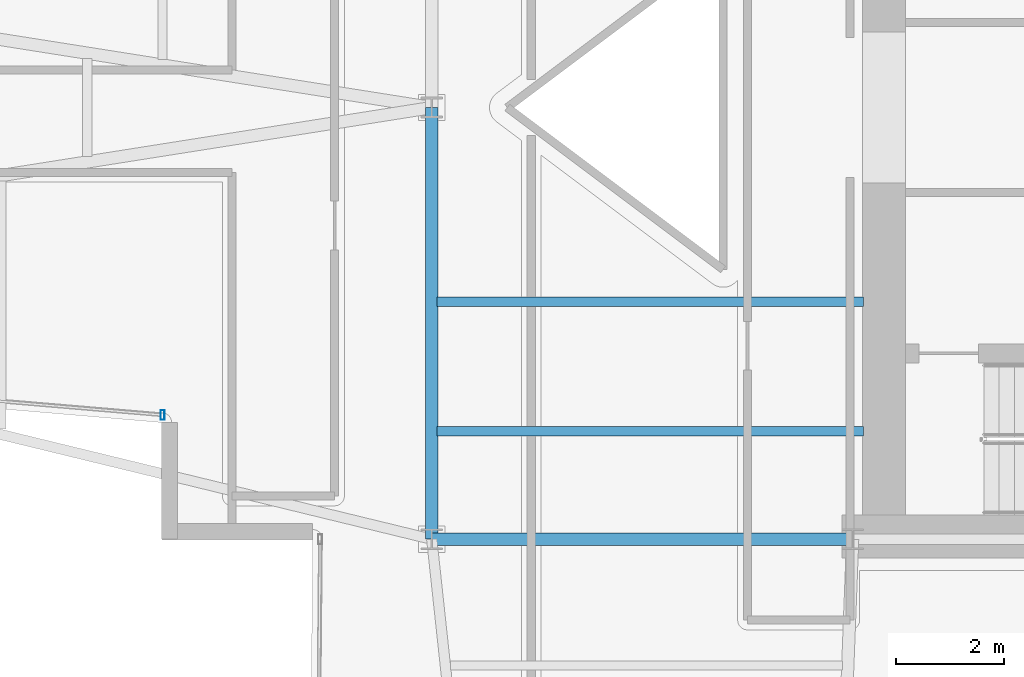
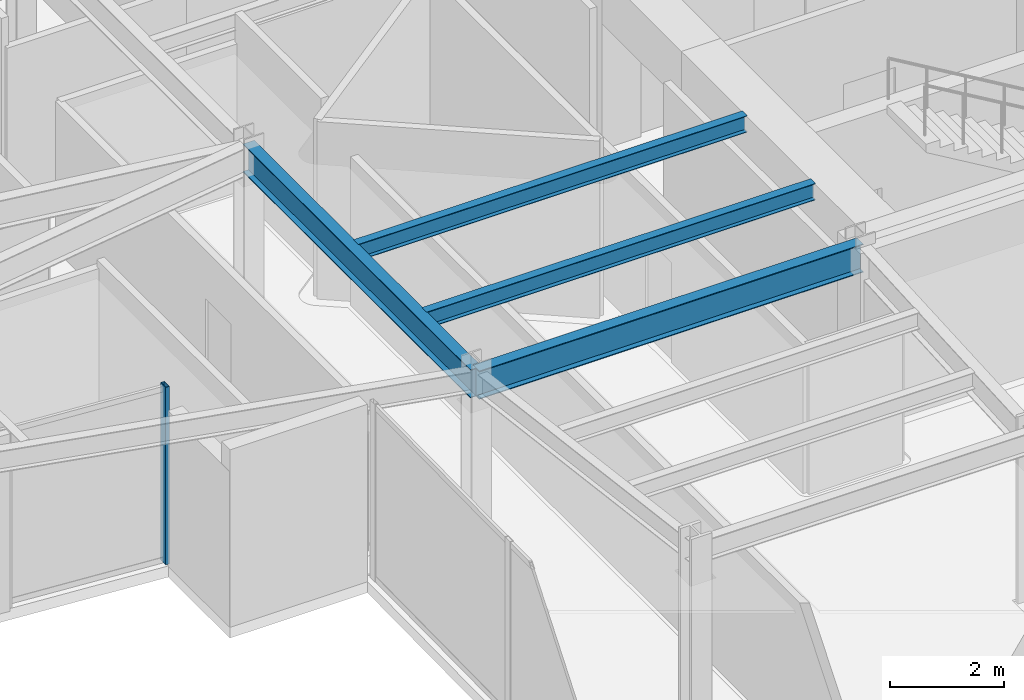
# One storey, part 5 of 25: 4 beams, 1 member, 1 element without a shape of its own.
"""IFC4 building model written with IfcOpenShell, lengths in metres."""

from ifc_helpers import new_model, si_unit, direction, frame, origin, origin_2d, place, context, subcontext, project, spatial, hollow_rectangle, i_section, extrude, material, layer, layer_set, material_profile, profile_set, type_object, element, aggregate, save


model = new_model("IFC4")

# Units and contexts
model_context = context("Model", 3, precision=1e-05, world=origin(), true_north=direction((0.0, 1.0)))
body_context = subcontext(model_context, "Body", "Model", "MODEL_VIEW")
ifc_project = project(units=[si_unit("LENGTHUNIT", "METRE"), si_unit("AREAUNIT", "SQUARE_METRE"), si_unit("VOLUMEUNIT", "CUBIC_METRE"), si_unit("PLANEANGLEUNIT", "RADIAN"), si_unit("MASSUNIT", "GRAM", prefix="KILO")], contexts=[model_context])

# Site, building, storey
site_placement = place(None, origin())
site = spatial("IfcSite", under=ifc_project, at=site_placement, CompositionType="ELEMENT")
building_placement = place(site_placement, origin())
building = spatial("IfcBuilding", under=site, at=building_placement, Name="Veymaron Broadcast Tower", CompositionType="ELEMENT")
storey_placement = place(building_placement, frame((0.0, 0.0, 145.199951171875)))
storey = spatial("IfcBuildingStorey", under=building, at=storey_placement, Name="L33", CompositionType="ELEMENT", Elevation=145.199951171875)

# Beams
ifc_material_1 = material(Name="Structural steel ASTM A992 Gr 50", Category="steel")
ifc_material_profile_1 = material_profile(ifc_material_1, i_section(OverallWidth=0.22802734375, OverallDepth=0.60791015625, WebThickness=0.01123046875, FlangeThickness=0.017333984375, at=origin_2d()), Name="W610X113")
ifc_profile_set_1 = profile_set([ifc_material_profile_1], Name="Structural steel ASTM A992 Gr 50")
beam_type_1 = type_object("IfcBeamType", Name="BM-FG2", PredefinedType="BEAM", material=ifc_profile_set_1)
beam_1_placement = place(storey_placement, frame((31.199951171875, 16.0, 3.506103515625), z_axis=(0.0, 1.0, 0.0), x_axis=(-1.0, 0.0, 0.0)))
element("IfcBeam", 1, at=beam_1_placement, inside=storey, type_object=beam_type_1, Name="L33 primary structural floor girder", PredefinedType="BEAM", context=body_context, shape_type="SweptSolid", body=[
    extrude(i_section(OverallWidth=0.22802734375, OverallDepth=0.60791015625, WebThickness=0.01123046875, FlangeThickness=0.017333984375, at=origin_2d()), origin(), (0.0, 0.0, 1.0), 8.0),
])
beam_2_placement = place(storey_placement, frame((31.199951171875, 16.0, 3.506103515625), z_axis=(1.0, 0.0, 0.0), x_axis=(0.0, 1.0, 0.0)))
element("IfcBeam", 2, at=beam_2_placement, inside=storey, type_object=beam_type_1, Name="L33 primary structural floor girder", PredefinedType="BEAM", context=body_context, shape_type="SweptSolid", body=[
    extrude(i_section(OverallWidth=0.22802734375, OverallDepth=0.60791015625, WebThickness=0.01123046875, FlangeThickness=0.017333984375, at=origin_2d()), origin(), (0.0, 0.0, 1.0), 7.800048828125),
])
ifc_material_profile_2 = material_profile(ifc_material_1, i_section(OverallWidth=0.1708984375, OverallDepth=0.35498046875, WebThickness=0.007080078125, FlangeThickness=0.01171875, at=origin_2d()), Name="W360X51")
ifc_profile_set_2 = profile_set([ifc_material_profile_2], Name="Structural steel ASTM A992 Gr 50")
beam_type_2 = type_object("IfcBeamType", Name="BM-JS2", PredefinedType="JOIST", material=ifc_profile_set_2)
for number, where, z_axis, x_axis, name in (
    (3, (31.300048828125, 18.0, 3.632568359375), (1.0, 0.0, 0.0), (0.0, 1.0, 0.0), "L33 Hub secondary joist 1"),
    (4, (31.300048828125, 20.39990234375, 3.632568359375), (1.0, 0.0, 0.0), (0.0, 1.0, 0.0), "L33 Hub secondary joist 2"),
):
    element("IfcBeam", number, at=place(storey_placement, frame(where, z_axis=z_axis, x_axis=x_axis)), inside=storey, type_object=beam_type_2, Name=name, PredefinedType="JOIST", context=body_context, shape_type="SweptSolid", body=[
        extrude(i_section(OverallWidth=0.1708984375, OverallDepth=0.35498046875, WebThickness=0.007080078125, FlangeThickness=0.01171875, at=origin_2d()), origin(), (0.0, 0.0, 1.0), 7.89990234375),
    ])

# Curtain wall, member
ifc_material_2 = material(Name="Anodised aluminium AA 6063-T6 and laminated low-E dark glass", Category="aluminium")
ifc_layer = layer(ifc_material_2, 0.179931640625)
ifc_layer_set = layer_set([ifc_layer], Name="Anodised aluminium AA 6063-T6 and laminated low-E dark glass")
curtain_wall_type = type_object("IfcCurtainWallType", Name="CW-SYS-03", PredefinedType="NOTDEFINED", material=ifc_layer_set)
curtain_wall_placement = place(storey_placement, origin())
curtain_wall = element("IfcCurtainWall", 5, at=curtain_wall_placement, inside=storey, type_object=curtain_wall_type, Name="L33 dark-glass curtain wall CW-L33-E14-1", PredefinedType="NOTDEFINED")
ifc_material_3 = material(Name="Anodised aluminium AA 6063-T6", Category="aluminium")
ifc_material_profile_3 = material_profile(ifc_material_3, hollow_rectangle(XDim=0.074951171875, YDim=0.179931640625, WallThickness=0.0048828125, at=origin_2d()), Name="AL180X75X5")
ifc_profile_set_3 = profile_set([ifc_material_profile_3], Name="Anodised aluminium AA 6063-T6")
member_type = type_object("IfcMemberType", Name="CW-MUL-02", PredefinedType="MULLION", material=ifc_profile_set_3)
member_placement = place(storey_placement, frame((26.2119140625, 18.301513671875, 0.0), z_axis=(0.0, 0.0, 1.0), x_axis=(1.0, 0.0, 0.0)))
member = element("IfcMember", 6, at=member_placement, type_object=member_type, Name="CW-L33-E14-1 mullion 2", PredefinedType="MULLION", context=body_context, shape_type="SweptSolid", body=[
    extrude(hollow_rectangle(XDim=0.074951171875, YDim=0.179931640625, WallThickness=0.0048828125, at=origin_2d()), origin(), (0.0, 0.0, 1.0), 3.81005859375),
])
aggregate(curtain_wall, [member])

save(model, "model.ifc")
